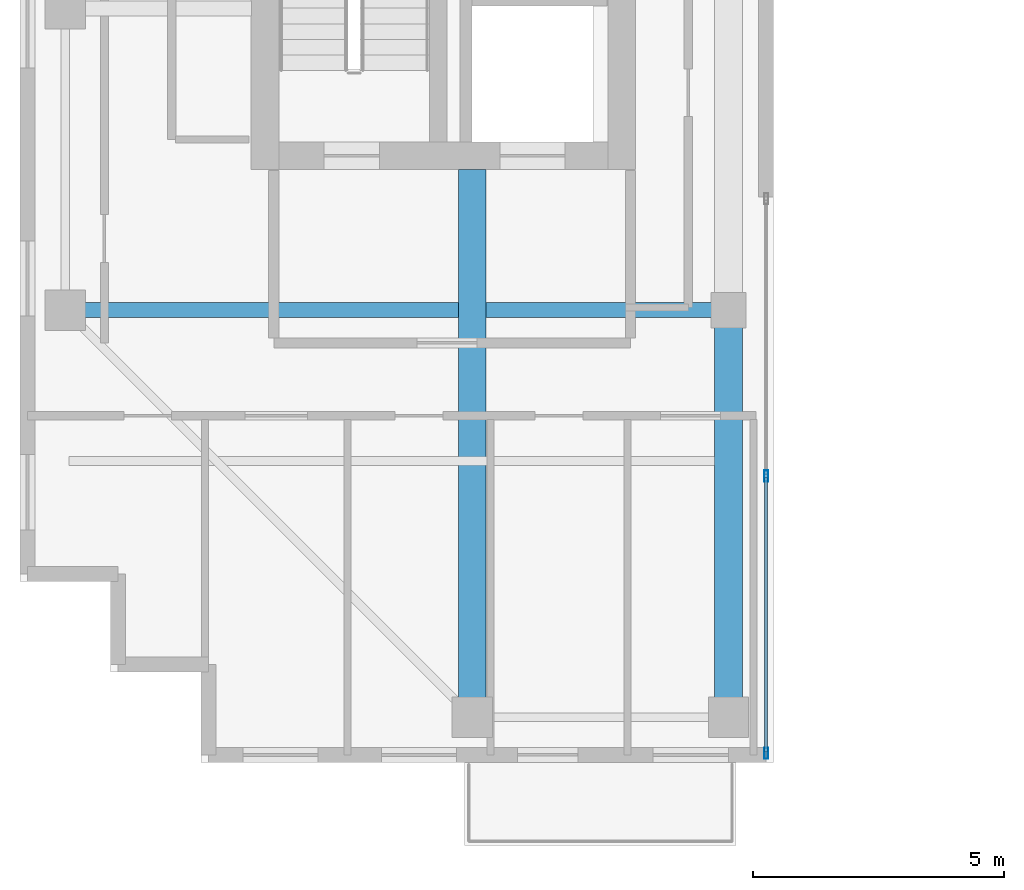
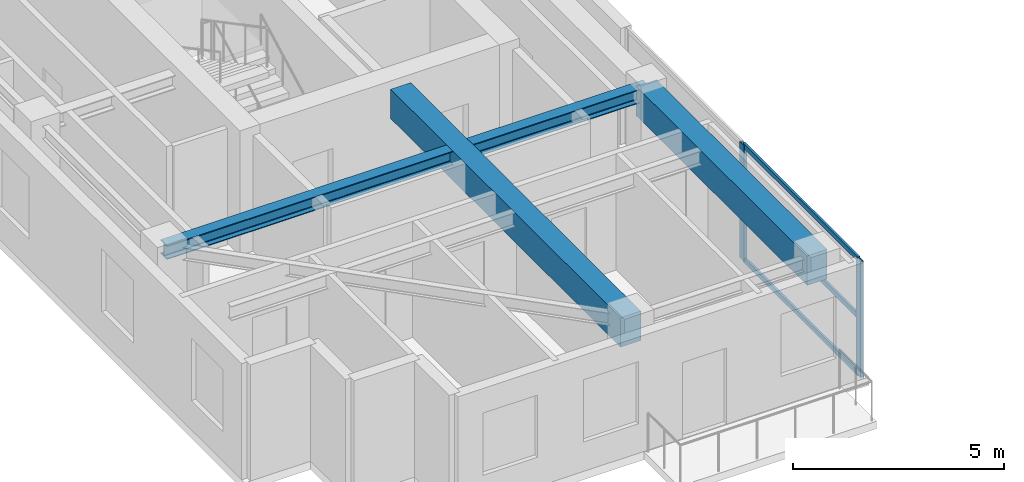
# One storey, part 2 of 22: 5 members, 3 beams, 1 element without a shape of its own.
"""IFC4 building model written with IfcOpenShell, lengths in metres."""

from ifc_helpers import new_model, si_unit, direction, frame, origin, origin_2d, place, context, subcontext, project, spatial, rectangle, hollow_rectangle, i_section, extrude, source, transform, mapped, material, layer, layer_set, material_profile, profile_set, type_object, element, aggregate, save


model = new_model("IFC4")

# Units and contexts
model_context = context("Model", 3, precision=1e-05, world=origin(), true_north=direction((0.0, 1.0)))
body_context = subcontext(model_context, "Body", "Model", "MODEL_VIEW")
ifc_project = project(units=[si_unit("LENGTHUNIT", "METRE"), si_unit("AREAUNIT", "SQUARE_METRE"), si_unit("VOLUMEUNIT", "CUBIC_METRE"), si_unit("PLANEANGLEUNIT", "RADIAN"), si_unit("MASSUNIT", "GRAM", prefix="KILO")], contexts=[model_context])

# Site, building, storey
site_placement = place(None, origin())
site = spatial("IfcSite", under=ifc_project, at=site_placement, CompositionType="ELEMENT")
building_placement = place(site_placement, origin())
building = spatial("IfcBuilding", under=site, at=building_placement, Name="Khoralis Quay Care Tower", CompositionType="ELEMENT")
storey_placement = place(building_placement, frame((0.0, 0.0, 260.10009765625)))
storey = spatial("IfcBuildingStorey", under=building, at=storey_placement, Name="L68", CompositionType="ELEMENT", Elevation=260.10009765625)

# Beams
ifc_material_1 = material(Name="Steel S355", Category="steel")
ifc_material_profile_1 = material_profile(ifc_material_1, i_section(OverallWidth=0.300048828125, OverallDepth=0.39990234375, WebThickness=0.013427734375, FlangeThickness=0.02392578125, FilletRadius=0.027099609375, at=origin_2d()), Name="Steel S355")
ifc_profile_set_1 = profile_set([ifc_material_profile_1], Name="Steel S355")
beam_type_1 = type_object("IfcBeamType", Name="BM-HEB400", PredefinedType="BEAM", material=ifc_profile_set_1)
shared_shape_1 = source(origin(), body_context, "Body", "SweptSolid", [
    extrude(i_section(OverallWidth=0.300048828125, OverallDepth=0.39990234375, WebThickness=0.013427734375, FlangeThickness=0.02392578125, FilletRadius=0.027099609375, at=origin_2d()), origin(), (0.0, 0.0, 1.0), 13.2001953125),
])
beam_1_placement = place(storey_placement, frame((3.89990234375, 12.0, 3.159912109375), z_axis=(1.0, 0.0, 0.0), x_axis=(0.0, 1.0, 0.0)))
element("IfcBeam", 1, at=beam_1_placement, inside=storey, type_object=beam_type_1, Name="BM-TGXW-L68-120", PredefinedType="BEAM", context=body_context, shape_type="MappedRepresentation", body=[
    mapped(shared_shape_1, transform((0.0, 0.0, 0.0), scale=1.0)),
])
ifc_material_2 = material(Name="Concrete C50/60", Category="concrete")
ifc_material_profile_2 = material_profile(ifc_material_2, rectangle(XDim=0.550048828125, YDim=0.85009765625, at=origin_2d()), Name="Concrete C50/60")
ifc_profile_set_2 = profile_set([ifc_material_profile_2], Name="Concrete C50/60")
beam_type_2 = type_object("IfcBeamType", Name="BM-RC550X850", PredefinedType="BEAM", material=ifc_profile_set_2)
shared_shape_2 = source(origin(), body_context, "Body", "SweptSolid", [
    extrude(rectangle(XDim=0.550048828125, YDim=0.85009765625, at=origin_2d()), origin(), (0.0, 0.0, 1.0), 10.902099609375),
])
beam_2_placement = place(storey_placement, frame((12.0, 3.89990234375, 2.934814453125), z_axis=(0.0, 1.0, 0.0), x_axis=(-1.0, 0.0, 0.0)))
element("IfcBeam", 2, at=beam_2_placement, inside=storey, type_object=beam_type_2, Name="BM-TGYS-L68-120", PredefinedType="BEAM", context=body_context, shape_type="MappedRepresentation", body=[
    mapped(shared_shape_2, transform((0.0, 0.0, 0.0), scale=1.0)),
])
shared_shape_3 = source(origin(), body_context, "Body", "SweptSolid", [
    extrude(rectangle(XDim=0.550048828125, YDim=0.85009765625, at=origin_2d()), origin(), (0.0, 0.0, 1.0), 8.10009765625),
])
beam_3_placement = place(storey_placement, frame((17.10009765625, 3.89990234375, 2.934814453125), z_axis=(0.0, 1.0, 0.0), x_axis=(-1.0, 0.0, 0.0)))
element("IfcBeam", 3, at=beam_3_placement, inside=storey, type_object=beam_type_2, Name="BM-TGYS-L68-171", PredefinedType="BEAM", context=body_context, shape_type="MappedRepresentation", body=[
    mapped(shared_shape_3, transform((0.0, 0.0, 0.0), scale=1.0)),
])

# Curtain wall, members
ifc_material_3 = material(Name="Pale anodised aluminium", Category="aluminium")
ifc_layer = layer(ifc_material_3, 0.18994140625)
ifc_layer_set = layer_set([ifc_layer], Name="Pale anodised aluminium")
curtain_wall_type = type_object("IfcCurtainWallType", Name="CW-SYS-PORTAL", PredefinedType="NOTDEFINED", material=ifc_layer_set)
curtain_wall_placement = place(storey_placement, origin())
curtain_wall = element("IfcCurtainWall", 4, at=curtain_wall_placement, inside=storey, type_object=curtain_wall_type, Name="L68 Unitised Curtain Wall CW-VP-L68-P1-S", PredefinedType="NOTDEFINED")
ifc_material_profile_3 = material_profile(ifc_material_3, hollow_rectangle(XDim=0.06005859375, YDim=0.139892578125, WallThickness=0.00390625, at=origin_2d()), Name="Pale anodised aluminium")
ifc_profile_set_3 = profile_set([ifc_material_profile_3], Name="Pale anodised aluminium")
member_type_1 = type_object("IfcMemberType", Name="CW-TRN-140", PredefinedType="USERDEFINED", material=ifc_profile_set_3)
shared_shape_4 = source(origin(), body_context, "Body", "SweptSolid", [
    extrude(hollow_rectangle(XDim=0.06005859375, YDim=0.139892578125, WallThickness=0.00390625, at=origin_2d()), origin(), (0.0, 0.0, 1.0), 5.4599609375),
])
member_1_placement = place(storey_placement, frame((17.85009765625, 3.2099609375, 0.02978515625), z_axis=(0.0, 1.0, 0.0), x_axis=(-1.0, 0.0, 0.0)))
member_1 = element("IfcMember", 5, at=member_1_placement, type_object=member_type_1, Name="CW4 transom 1.1", ObjectType="TRANSOM", PredefinedType="USERDEFINED", context=body_context, shape_type="MappedRepresentation", body=[
    mapped(shared_shape_4, transform((0.0, 0.0, 0.0), scale=1.0)),
])
member_2_placement = place(storey_placement, frame((17.85009765625, 3.2099609375, 1.679931640625), z_axis=(0.0, 1.0, 0.0), x_axis=(-1.0, 0.0, 0.0)))
member_2 = element("IfcMember", 6, at=member_2_placement, type_object=member_type_1, Name="CW4 transom 1.2", ObjectType="TRANSOM", PredefinedType="USERDEFINED", context=body_context, shape_type="MappedRepresentation", body=[
    mapped(shared_shape_4, transform((0.0, 0.0, 0.0), scale=1.0)),
])
member_3_placement = place(storey_placement, frame((17.85009765625, 3.2099609375, 3.329833984375), z_axis=(0.0, 1.0, 0.0), x_axis=(-1.0, 0.0, 0.0)))
member_3 = element("IfcMember", 7, at=member_3_placement, type_object=member_type_1, Name="CW4 transom 1.3", ObjectType="TRANSOM", PredefinedType="USERDEFINED", context=body_context, shape_type="MappedRepresentation", body=[
    mapped(shared_shape_4, transform((0.0, 0.0, 0.0), scale=1.0)),
])
ifc_material_profile_4 = material_profile(ifc_material_3, hollow_rectangle(XDim=0.074951171875, YDim=0.219970703125, WallThickness=0.00390625, at=origin_2d()), Name="Pale anodised aluminium")
ifc_profile_set_4 = profile_set([ifc_material_profile_4], Name="Pale anodised aluminium")
member_type_2 = type_object("IfcMemberType", Name="CW-MUL-220", PredefinedType="MULLION", material=ifc_profile_set_4)
shared_shape_5 = source(origin(), body_context, "Body", "SweptSolid", [
    extrude(hollow_rectangle(XDim=0.074951171875, YDim=0.219970703125, WallThickness=0.00390625, at=origin_2d()), origin(), (0.0, 0.0, 1.0), 3.35986328125),
])
member_4_placement = place(storey_placement, frame((17.85009765625, 3.179931640625, 0.0), z_axis=(0.0, 0.0, 1.0), x_axis=(-1.0, 0.0, 0.0)))
member_4 = element("IfcMember", 8, at=member_4_placement, type_object=member_type_2, Name="CW4 mullion 1", PredefinedType="MULLION", context=body_context, shape_type="MappedRepresentation", body=[
    mapped(shared_shape_5, transform((0.0, 0.0, 0.0), scale=1.0)),
])
member_5_placement = place(storey_placement, frame((17.85009765625, 8.699951171875, 0.0), z_axis=(0.0, 0.0, 1.0), x_axis=(-1.0, 0.0, 0.0)))
member_5 = element("IfcMember", 9, at=member_5_placement, type_object=member_type_2, Name="CW4 mullion 2", PredefinedType="MULLION", context=body_context, shape_type="MappedRepresentation", body=[
    mapped(shared_shape_5, transform((0.0, 0.0, 0.0), scale=1.0)),
])
aggregate(curtain_wall, [member_4, member_5, member_1, member_2, member_3])

save(model, "model.ifc")
